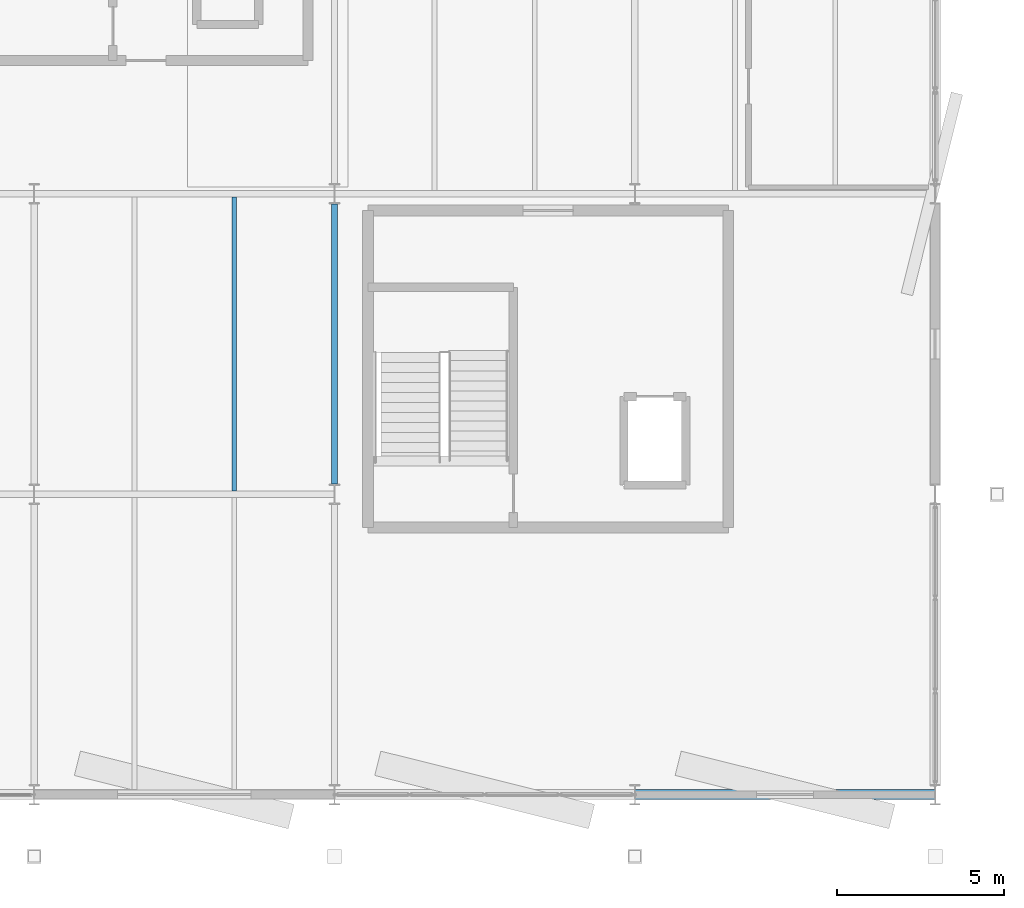
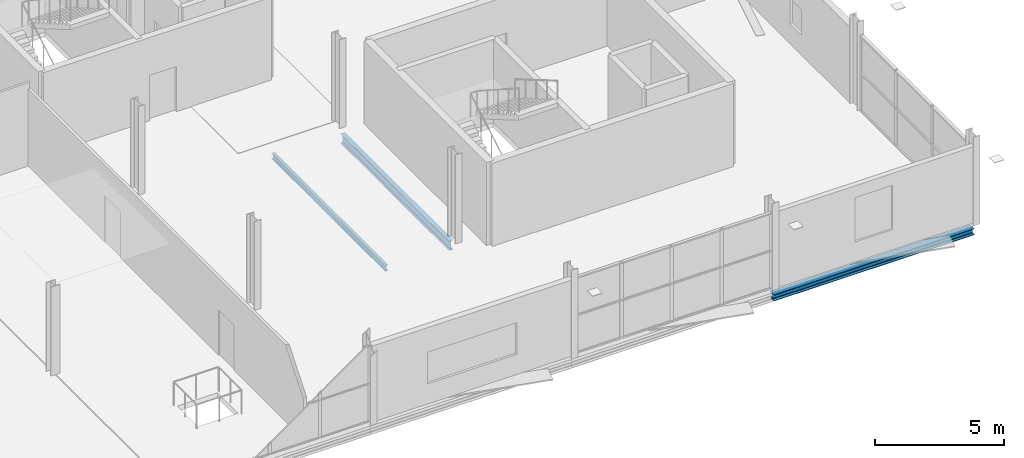
# One storey, part 83 of 132: 3 beams.
"""IFC4 building model written with IfcOpenShell, lengths in metres."""

from ifc_helpers import new_model, si_unit, direction, frame, origin, origin_2d, place, context, subcontext, project, spatial, i_section, extrude, material, material_profile, profile_set, type_object, element, save


model = new_model("IFC4")

# Units and contexts
model_context = context("Model", 3, precision=1e-05, world=origin(), true_north=direction((0.0, 1.0)))
body_context = subcontext(model_context, "Body", "Model", "MODEL_VIEW")
ifc_project = project(units=[si_unit("LENGTHUNIT", "METRE"), si_unit("AREAUNIT", "SQUARE_METRE"), si_unit("VOLUMEUNIT", "CUBIC_METRE"), si_unit("PLANEANGLEUNIT", "RADIAN"), si_unit("MASSUNIT", "GRAM", prefix="KILO")], contexts=[model_context])

# Site, building, storey
site_placement = place(None, origin())
site = spatial("IfcSite", under=ifc_project, at=site_placement, CompositionType="ELEMENT")
building_placement = place(site_placement, origin())
building = spatial("IfcBuilding", under=site, at=building_placement, Name="Deido Ridge Mobility Hub", CompositionType="ELEMENT")
storey_placement = place(building_placement, frame((0.0, 0.0, 8.39990234375)))
storey = spatial("IfcBuildingStorey", under=building, at=storey_placement, Name="L02", CompositionType="ELEMENT", Elevation=8.39990234375)

# Beams
ifc_material = material(Name="Steel S355J2 EN 10025-2", Category="steel")
ifc_material_profile_1 = material_profile(ifc_material, i_section(OverallWidth=0.18994140625, OverallDepth=0.449951171875, WebThickness=0.009521484375, FlangeThickness=0.0146484375, FilletRadius=0.02099609375, at=origin_2d()), Name="IPE 450")
ifc_profile_set_1 = profile_set([ifc_material_profile_1], Name="Steel S355J2 EN 10025-2")
beam_type_1 = type_object("IfcBeamType", Name="BM-IPE450", PredefinedType="BEAM", material=ifc_profile_set_1)
beam_1_placement = place(storey_placement, frame((162.0, 9.300048828125, -0.47998046875), z_axis=(0.0, 1.0, 0.0), x_axis=(-1.0, 0.0, 0.0)))
element("IfcBeam", 1, at=beam_1_placement, inside=storey, type_object=beam_type_1, Name="Floor beam B4", PredefinedType="BEAM", context=body_context, shape_type="SweptSolid", body=[
    extrude(i_section(OverallWidth=0.18994140625, OverallDepth=0.449951171875, WebThickness=0.009521484375, FlangeThickness=0.0146484375, FilletRadius=0.02099609375, at=origin_2d()), origin(), (0.0, 0.0, 1.0), 8.39990234375),
])
ifc_material_profile_2 = material_profile(ifc_material, i_section(OverallWidth=0.135009765625, OverallDepth=0.27001953125, WebThickness=0.006591796875, FlangeThickness=0.01025390625, FilletRadius=0.014892578125, at=origin_2d()), Name="IPE 270")
ifc_profile_set_2 = profile_set([ifc_material_profile_2], Name="Steel S355J2 EN 10025-2")
beam_type_2 = type_object("IfcBeamType", Name="JST-IPE270", PredefinedType="JOIST", material=ifc_profile_set_2)
beam_2_placement = place(storey_placement, frame((159.0, 9.10009765625, -0.389892578125), z_axis=(0.0, 1.0, 0.0), x_axis=(-1.0, 0.0, 0.0)))
element("IfcBeam", 2, at=beam_2_placement, inside=storey, type_object=beam_type_2, Name="Composite joist J4", PredefinedType="JOIST", context=body_context, shape_type="SweptSolid", body=[
    extrude(i_section(OverallWidth=0.135009765625, OverallDepth=0.27001953125, WebThickness=0.006591796875, FlangeThickness=0.01025390625, FilletRadius=0.014892578125, at=origin_2d()), origin(), (0.0, 0.0, 1.0), 8.7998046875),
])
ifc_material_profile_3 = material_profile(ifc_material, i_section(OverallWidth=0.300048828125, OverallDepth=0.300048828125, WebThickness=0.010986328125, FlangeThickness=0.01904296875, FilletRadius=0.027099609375, at=origin_2d()), Name="HEB 300")
ifc_profile_set_3 = profile_set([ifc_material_profile_3], Name="Steel S355J2 EN 10025-2")
beam_type_3 = type_object("IfcBeamType", Name="SPD-HEB300", PredefinedType="SPANDREL", material=ifc_profile_set_3)
beam_3_placement = place(storey_placement, frame((171.0078125, 0.0, -0.40478515625), z_axis=(1.0, 0.0, 0.0), x_axis=(0.0, 1.0, 0.0)))
element("IfcBeam", 3, at=beam_3_placement, inside=storey, type_object=beam_type_3, Name="Floor beam SP1", PredefinedType="SPANDREL", context=body_context, shape_type="SweptSolid", body=[
    extrude(i_section(OverallWidth=0.300048828125, OverallDepth=0.300048828125, WebThickness=0.010986328125, FlangeThickness=0.01904296875, FilletRadius=0.027099609375, at=origin_2d()), origin(), (0.0, 0.0, 1.0), 8.984375),
])

save(model, "model.ifc")
